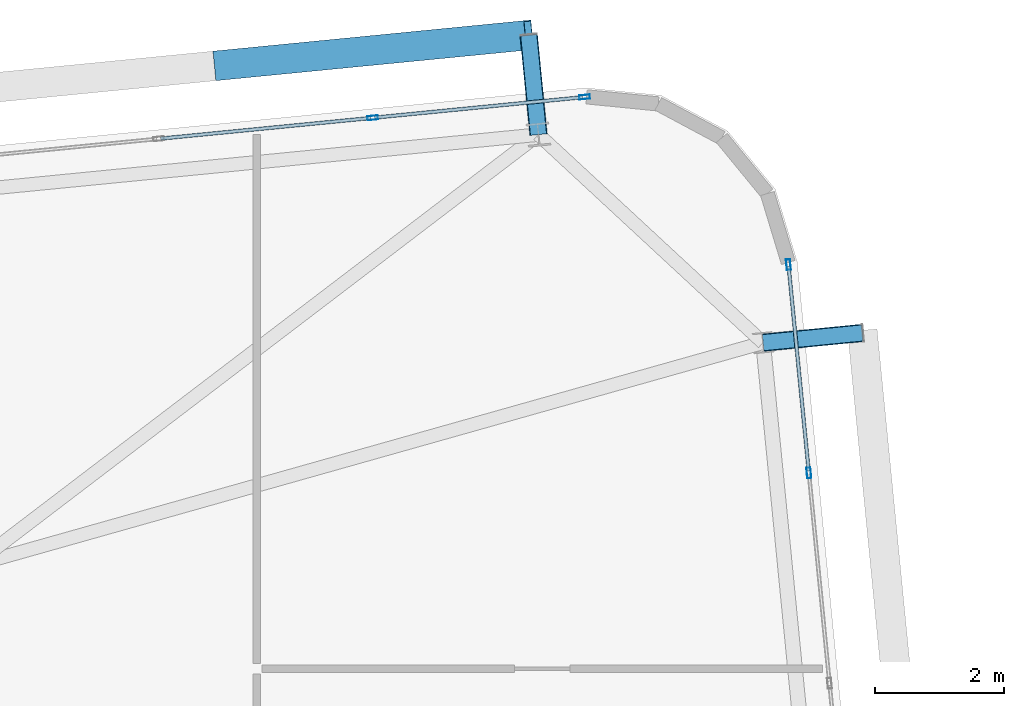
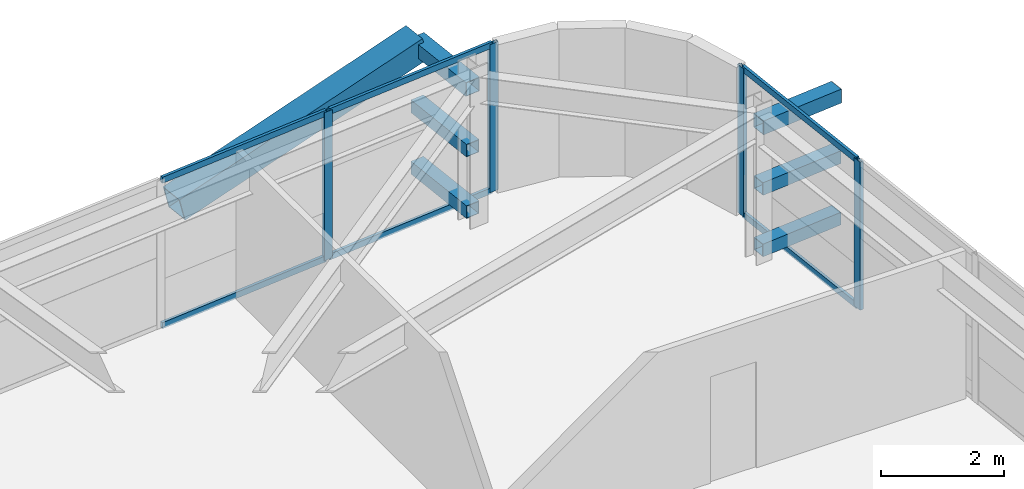
# One storey, part 35 of 53: 17 members, 2 elements without a shape of their own.
"""IFC4 building model written with IfcOpenShell, lengths in metres."""

from ifc_helpers import new_model, si_unit, direction, frame, origin, origin_2d, place, context, subcontext, project, spatial, hollow_rectangle, extrude, source, transform, mapped, material, layer, layer_set, material_profile, profile_set, type_object, element, aggregate, save


model = new_model("IFC4")

# Units and contexts
model_context = context("Model", 3, precision=1e-05, world=origin(), true_north=direction((0.0, 1.0)))
body_context = subcontext(model_context, "Body", "Model", "MODEL_VIEW")
ifc_project = project(units=[si_unit("LENGTHUNIT", "METRE"), si_unit("AREAUNIT", "SQUARE_METRE"), si_unit("VOLUMEUNIT", "CUBIC_METRE"), si_unit("PLANEANGLEUNIT", "RADIAN"), si_unit("MASSUNIT", "GRAM", prefix="KILO")], contexts=[model_context])

# Site, building, storey
site_placement = place(None, origin())
site = spatial("IfcSite", under=ifc_project, at=site_placement, CompositionType="ELEMENT")
building_placement = place(site_placement, origin())
building = spatial("IfcBuilding", under=site, at=building_placement, Name="Taldren Reach Tower", CompositionType="ELEMENT")
storey_placement = place(building_placement, frame((0.0, 0.0, 80.85009765625)))
storey = spatial("IfcBuildingStorey", under=building, at=storey_placement, Name="L24", CompositionType="ELEMENT", Elevation=80.85009765625)

# Members
ifc_material_1 = material(Name="Steel Gr 450 (C450L0)", Category="steel")
ifc_material_profile_1 = material_profile(ifc_material_1, hollow_rectangle(XDim=0.27490234375, YDim=0.27490234375, WallThickness=0.00927734375, at=origin_2d()), Name="275x275x9.3SHS")
ifc_profile_set_1 = profile_set([ifc_material_profile_1], Name="Steel Gr 450 (C450L0)")
member_type_1 = type_object("IfcMemberType", Name="MB-TIE273", PredefinedType="STRUT", material=ifc_profile_set_1)
shared_shape_1 = source(origin(), body_context, "Body", "SweptSolid", [
    extrude(hollow_rectangle(XDim=0.27490234375, YDim=0.27490234375, WallThickness=0.00927734375, at=origin_2d()), origin(), (0.0, 0.0, 1.0), 1.5498046875),
])
for number, where, z_axis, x_axis, name in (
    (1, (59.765869140625, 38.679931640625, 2.64990234375), (-0.097663201064, 0.995219523099, 0.0), (-0.995219523099, -0.097663201064, 0.0), "Exoskeleton diaphragm tie strut B2-N6 L24"),
    (2, (63.247314453125, 35.454345703125, 2.64990234375), (0.995234821595, 0.097507178627, 0.0), (-0.097507178627, 0.995234821595, 0.0), "Exoskeleton diaphragm tie strut B2-E3 L24"),
):
    element("IfcMember", number, at=place(storey_placement, frame(where, z_axis=z_axis, x_axis=x_axis)), inside=storey, type_object=member_type_1, Name=name, PredefinedType="STRUT", context=body_context, shape_type="MappedRepresentation", body=[
        mapped(shared_shape_1, transform((0.0, 0.0, 0.0), scale=1.0)),
    ])
ifc_material_2 = material(Name="Steel Gr 350 (C350L0)", Category="steel")
ifc_material_profile_2 = material_profile(ifc_material_2, hollow_rectangle(XDim=0.25, YDim=0.25, WallThickness=0.010009765625, at=origin_2d()), Name="250x250x10.0SHS")
ifc_profile_set_2 = profile_set([ifc_material_profile_2], Name="Steel Gr 350 (C350L0)")
member_type_2 = type_object("IfcMemberType", Name="MB-POST250", PredefinedType="POST", material=ifc_profile_set_2)
shared_shape_2 = source(origin(), body_context, "Body", "SweptSolid", [
    extrude(hollow_rectangle(XDim=0.25, YDim=0.25, WallThickness=0.010009765625, at=origin_2d()), origin(), (0.0, 0.0, 1.0), 1.5498046875),
])
for number, where, z_axis, x_axis, name in (
    (3, (59.765869140625, 38.679931640625, 0.219970703125), (-0.097663201064, 0.995219523099, 0.0), (-0.995219523099, -0.097663201064, 0.0), "Exoskeleton base diaphragm tie strut B2-N6 L24"),
    (4, (63.247314453125, 35.454345703125, 0.219970703125), (0.995234821595, 0.097507178627, 0.0), (-0.097507178627, 0.995234821595, 0.0), "Exoskeleton base diaphragm tie strut B2-E3 L24"),
    (5, (59.765869140625, 38.679931640625, 1.434814453125), (-0.097663201064, 0.995219523099, 0.0), (-0.995219523099, -0.097663201064, 0.0), "Exoskeleton mid-tier diaphragm tie B2-N6 L24"),
    (6, (63.247314453125, 35.454345703125, 1.434814453125), (0.995234821595, 0.097507178627, 0.0), (-0.097507178627, 0.995234821595, 0.0), "Exoskeleton mid-tier diaphragm tie B2-E3 L24"),
):
    element("IfcMember", number, at=place(storey_placement, frame(where, z_axis=z_axis, x_axis=x_axis)), inside=storey, type_object=member_type_2, Name=name, PredefinedType="POST", context=body_context, shape_type="MappedRepresentation", body=[
        mapped(shared_shape_2, transform((0.0, 0.0, 0.0), scale=1.0)),
    ])
ifc_material_profile_3 = material_profile(ifc_material_1, hollow_rectangle(XDim=0.4599609375, YDim=0.4599609375, WallThickness=0.01611328125, at=origin_2d()), Name="460x460x16.0SHS")
ifc_profile_set_3 = profile_set([ifc_material_profile_3], Name="Steel Gr 450 (C450L0)")
member_type_3 = type_object("IfcMemberType", Name="MB-EXO457", PredefinedType="BRACE", material=ifc_profile_set_3)
shared_shape_3 = source(origin(), body_context, "Body", "SweptSolid", [
    extrude(hollow_rectangle(XDim=0.4599609375, YDim=0.4599609375, WallThickness=0.01611328125, at=origin_2d()), origin(), (0.0, 0.0, 1.0), 4.990234375),
])
member_1_placement = place(storey_placement, frame((54.797607421875, 39.750244140625, 1.434814453125), z_axis=(0.965275526283, 0.094619506732, 0.243496010862), x_axis=(-0.097555749586, 0.995230061706, 0.0)))
element("IfcMember", 7, at=member_1_placement, inside=storey, type_object=member_type_3, Name="Exoskeleton Diagrid Brace B2-N5 L24", PredefinedType="BRACE", context=body_context, shape_type="MappedRepresentation", body=[
    mapped(shared_shape_3, transform((0.0, 0.0, 0.0), scale=1.0)),
])

# Curtain wall, members
ifc_material_3 = material(Name="Aluminium and Low-E Glass Unitised System", Category="aluminium")
ifc_layer = layer(ifc_material_3, 0.159912109375)
ifc_layer_set = layer_set([ifc_layer], Name="Aluminium and Low-E Glass Unitised System")
curtain_wall_type = type_object("IfcCurtainWallType", Name="CW-SYS-3", PredefinedType="NOTDEFINED", material=ifc_layer_set)
curtain_wall_1_placement = place(storey_placement, origin())
curtain_wall_1 = element("IfcCurtainWall", 8, at=curtain_wall_1_placement, inside=storey, type_object=curtain_wall_type, Name="Unitised curtain wall CW-L24-N", PredefinedType="NOTDEFINED")
ifc_material_4 = material(Name="Anodised Aluminium 6063-T6", Category="aluminium")
ifc_material_profile_4 = material_profile(ifc_material_4, hollow_rectangle(XDim=0.06494140625, YDim=0.1650390625, WallThickness=0.00390625, at=origin_2d()), Name="ALU-165x65x4RHS")
ifc_profile_set_4 = profile_set([ifc_material_profile_4], Name="Anodised Aluminium 6063-T6")
member_type_4 = type_object("IfcMemberType", Name="CW-MUL-165", PredefinedType="MULLION", material=ifc_profile_set_4)
shared_shape_4 = source(origin(), body_context, "Body", "SweptSolid", [
    extrude(hollow_rectangle(XDim=0.06494140625, YDim=0.1650390625, WallThickness=0.00390625, at=origin_2d()), origin(), (0.0, 0.0, 1.0), 2.929931640625),
])
member_2_placement = place(storey_placement, frame((60.47998046875, 39.262451171875, 0.0), z_axis=(0.0, 0.0, 1.0), x_axis=(0.097582999046, -0.995227390247, 0.0)))
member_2 = element("IfcMember", 9, at=member_2_placement, type_object=member_type_4, Name="CW-3 mullion 1", PredefinedType="MULLION", context=body_context, shape_type="MappedRepresentation", body=[
    mapped(shared_shape_4, transform((0.0, 0.0, 0.0), scale=1.0)),
])
member_3_placement = place(storey_placement, frame((57.19482421875, 38.940185546875, 0.0), z_axis=(0.0, 0.0, 1.0), x_axis=(0.097582999046, -0.995227390247, 0.0)))
member_3 = element("IfcMember", 10, at=member_3_placement, type_object=member_type_4, Name="CW-3 mullion 2", PredefinedType="MULLION", context=body_context, shape_type="MappedRepresentation", body=[
    mapped(shared_shape_4, transform((0.0, 0.0, 0.0), scale=1.0)),
])

curtain_wall_2_placement = place(storey_placement, origin())
curtain_wall_2 = element("IfcCurtainWall", 11, at=curtain_wall_2_placement, inside=storey, type_object=curtain_wall_type, Name="Unitised curtain wall CW-L24-E", PredefinedType="NOTDEFINED")
member_4_placement = place(storey_placement, frame((63.95751953125, 33.43603515625, 0.0), z_axis=(0.0, 0.0, 1.0), x_axis=(-0.99522741555, -0.09758274098, 0.0)))
member_4 = element("IfcMember", 12, at=member_4_placement, type_object=member_type_4, Name="CW-3 mullion 9", PredefinedType="MULLION", context=body_context, shape_type="MappedRepresentation", body=[
    mapped(shared_shape_4, transform((0.0, 0.0, 0.0), scale=1.0)),
])
member_5_placement = place(storey_placement, frame((63.640869140625, 36.666015625, 0.0), z_axis=(0.0, 0.0, 1.0), x_axis=(-0.99522741555, -0.09758274098, 0.0)))
member_5 = element("IfcMember", 13, at=member_5_placement, type_object=member_type_4, Name="CW-3 mullion 10", PredefinedType="MULLION", context=body_context, shape_type="MappedRepresentation", body=[
    mapped(shared_shape_4, transform((0.0, 0.0, 0.0), scale=1.0)),
])

# Member
ifc_material_profile_5 = material_profile(ifc_material_4, hollow_rectangle(XDim=0.054931640625, YDim=0.1201171875, WallThickness=0.0029296875, at=origin_2d()), Name="ALU-120x55x3RHS")
ifc_profile_set_5 = profile_set([ifc_material_profile_5], Name="Anodised Aluminium 6063-T6")
member_type_5 = type_object("IfcMemberType", Name="CW-TRN-135", PredefinedType="USERDEFINED", material=ifc_profile_set_5)
shared_shape_5 = source(origin(), body_context, "Body", "SweptSolid", [
    extrude(hollow_rectangle(XDim=0.054931640625, YDim=0.1201171875, WallThickness=0.0029296875, at=origin_2d()), origin(), (0.0, 0.0, 1.0), 3.23583984375),
])
member_6_placement = place(storey_placement, frame((60.447509765625, 39.25927734375, 0.02734375), z_axis=(-0.995222920971, -0.097628569459, 0.0), x_axis=(0.097628569459, -0.995222920971, 0.0)))
member_6 = element("IfcMember", 14, at=member_6_placement, type_object=member_type_5, Name="CW-3 transom 1.1", ObjectType="TRANSOM", PredefinedType="USERDEFINED", context=body_context, shape_type="MappedRepresentation", body=[
    mapped(shared_shape_5, transform((0.0, 0.0, 0.0), scale=1.0)),
])

member_7_placement = place(storey_placement, frame((60.447509765625, 39.25927734375, 2.90234375), z_axis=(-0.995222920971, -0.097628569459, 0.0), x_axis=(0.097628569459, -0.995222920971, 0.0)))
member_7 = element("IfcMember", 15, at=member_7_placement, type_object=member_type_5, Name="CW-3 transom 1.2", ObjectType="TRANSOM", PredefinedType="USERDEFINED", context=body_context, shape_type="MappedRepresentation", body=[
    mapped(shared_shape_5, transform((0.0, 0.0, 0.0), scale=1.0)),
])

shared_shape_6 = source(origin(), body_context, "Body", "SweptSolid", [
    extrude(hollow_rectangle(XDim=0.054931640625, YDim=0.1201171875, WallThickness=0.0029296875, at=origin_2d()), origin(), (0.0, 0.0, 1.0), 3.2685546875),
])
member_8_placement = place(storey_placement, frame((57.16259765625, 38.93701171875, 0.02734375), z_axis=(-0.99523051601, -0.097551114824, 0.0), x_axis=(0.097551114824, -0.99523051601, 0.0)))
member_8 = element("IfcMember", 16, at=member_8_placement, type_object=member_type_5, Name="CW-3 transom 2.1", ObjectType="TRANSOM", PredefinedType="USERDEFINED", context=body_context, shape_type="MappedRepresentation", body=[
    mapped(shared_shape_6, transform((0.0, 0.0, 0.0), scale=1.0)),
])

member_9_placement = place(storey_placement, frame((57.16259765625, 38.93701171875, 2.90234375), z_axis=(-0.99523051601, -0.097551114824, 0.0), x_axis=(0.097551114824, -0.99523051601, 0.0)))
member_9 = element("IfcMember", 17, at=member_9_placement, type_object=member_type_5, Name="CW-3 transom 2.2", ObjectType="TRANSOM", PredefinedType="USERDEFINED", context=body_context, shape_type="MappedRepresentation", body=[
    mapped(shared_shape_6, transform((0.0, 0.0, 0.0), scale=1.0)),
])

aggregate(curtain_wall_1, [member_2, member_3, member_6, member_7, member_8, member_9])

shared_shape_7 = source(origin(), body_context, "Body", "SweptSolid", [
    extrude(hollow_rectangle(XDim=0.054931640625, YDim=0.1201171875, WallThickness=0.0029296875, at=origin_2d()), origin(), (0.0, 0.0, 1.0), 3.18017578125),
])
member_10_placement = place(storey_placement, frame((63.954345703125, 33.468505859375, 0.02734375), z_axis=(-0.097572914968, 0.995228378949, 0.0), x_axis=(-0.995228378949, -0.097572914968, 0.0)))
member_10 = element("IfcMember", 18, at=member_10_placement, type_object=member_type_5, Name="CW-3 transom 9.1", ObjectType="TRANSOM", PredefinedType="USERDEFINED", context=body_context, shape_type="MappedRepresentation", body=[
    mapped(shared_shape_7, transform((0.0, 0.0, 0.0), scale=1.0)),
])

member_11_placement = place(storey_placement, frame((63.954345703125, 33.468505859375, 2.90234375), z_axis=(-0.097572914968, 0.995228378949, 0.0), x_axis=(-0.995228378949, -0.097572914968, 0.0)))
member_11 = element("IfcMember", 19, at=member_11_placement, type_object=member_type_5, Name="CW-3 transom 9.2", ObjectType="TRANSOM", PredefinedType="USERDEFINED", context=body_context, shape_type="MappedRepresentation", body=[
    mapped(shared_shape_7, transform((0.0, 0.0, 0.0), scale=1.0)),
])

aggregate(curtain_wall_2, [member_4, member_5, member_10, member_11])

save(model, "model.ifc")
